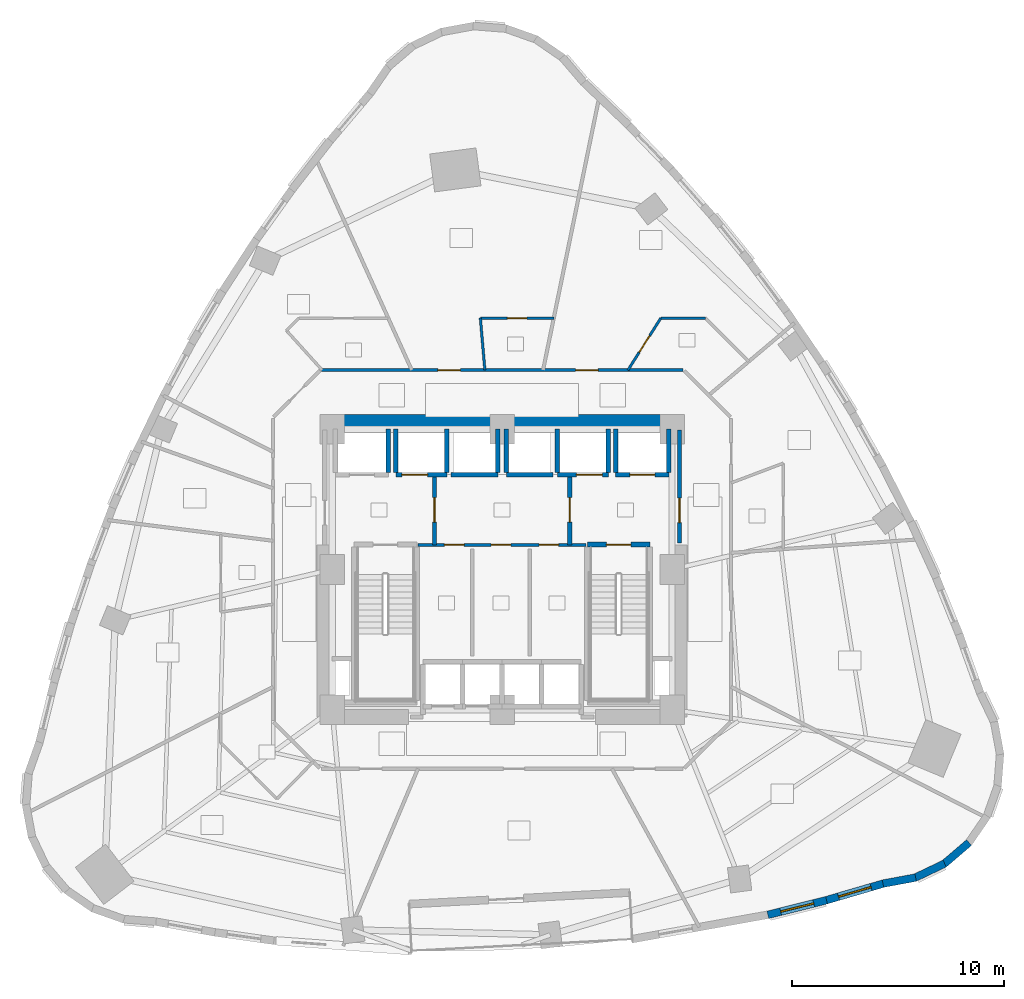
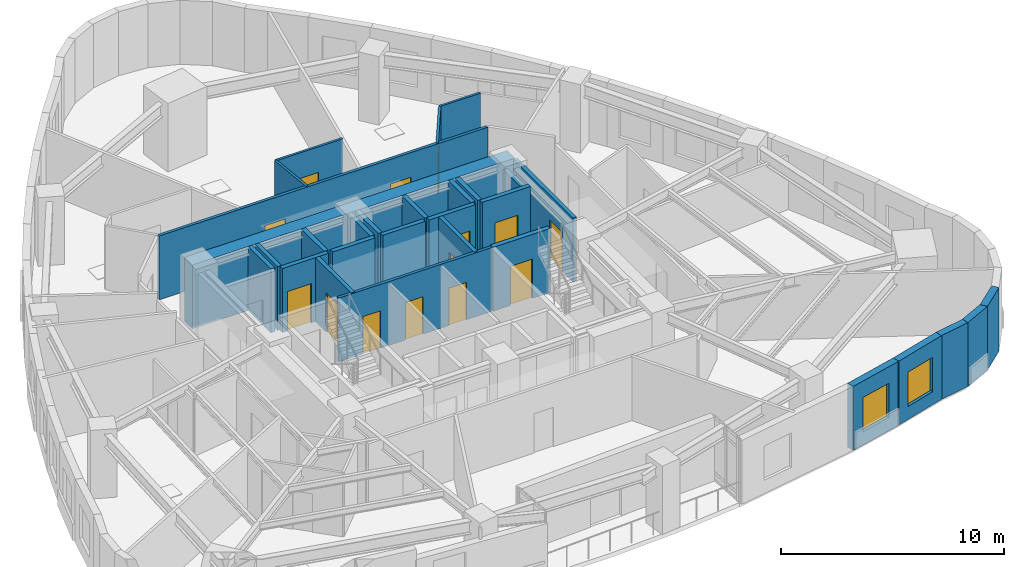
# One storey, part 6 of 11: 30 walls, 14 doors, 2 windows, 16 openings.
"""IFC4 building model written with IfcOpenShell, lengths in metres."""

import ifcopenshell
import ifcopenshell.guid

model = None  # the IFC model being written
_history = None  # IfcOwnerHistory: only IFC2X3 demands one
_inside = {}  # id of a spatial element -> (the spatial element, [elements in it])
_under = {}  # id of a project, library or spatial element -> (it, [spatial elements below it])
_declared = {}  # id of a project -> (the project, [libraries it declares])
_typed = {}  # id of a type object -> (the type object, [elements of that type])
_made_of = {}  # id of a material, layer set ... -> (it, [elements and type objects made of it])


def new_model(schema):
    """Start an empty IFC model of exactly this schema.

    Asked for "IFC4X3", IfcOpenShell would pick the latest addendum, in which some entities
    have other attributes; the version numbers below select the first issue.
    IFC2X3 requires an IfcOwnerHistory on every rooted entity: one is made here for all.
    """
    global model, _history
    if schema == "IFC4X3":
        model = ifcopenshell.file(schema_version=(4, 3, 0, 0))
    else:
        model = ifcopenshell.file(schema=schema)
    _inside.clear()
    _under.clear()
    _declared.clear()
    _typed.clear()
    _made_of.clear()
    _history = None
    if model.schema == "IFC2X3":
        org = make("IfcOrganization", Name="unknown")
        user = make(
            "IfcPersonAndOrganization",
            ThePerson=make("IfcPerson", FamilyName="unknown"),
            TheOrganization=org,
        )
        app = make(
            "IfcApplication",
            ApplicationDeveloper=org,
            Version="unknown",
            ApplicationFullName="unknown",
            ApplicationIdentifier="unknown",
        )
        _history = make(
            "IfcOwnerHistory",
            OwningUser=user,
            OwningApplication=app,
            ChangeAction="ADDED",
            CreationDate=0,
        )
    return model


def make(cls, **values):
    """One entity of the class cls with the attributes given. An attribute that is None is left unset."""
    return model.create_entity(
        cls, **{name: value for name, value in values.items() if value is not None}
    )


def rooted(cls, **values):
    """An entity with a GlobalId (a new one), such as an element, a storey or a relation."""
    return make(cls, GlobalId=ifcopenshell.guid.new(), OwnerHistory=_history, **values)


def si_unit(unit_type, name, prefix=None):
    """IfcSIUnit, for example si_unit("LENGTHUNIT", "METRE", prefix="MILLI")."""
    return make("IfcSIUnit", UnitType=unit_type, Prefix=prefix, Name=name)


def assignment(units):
    """IfcUnitAssignment: the units of a project."""
    return None if units is None else make("IfcUnitAssignment", Units=units)


def point(xyz):
    """IfcCartesianPoint."""
    return None if xyz is None else make("IfcCartesianPoint", Coordinates=xyz)


def direction(xyz):
    """IfcDirection."""
    return None if xyz is None else make("IfcDirection", DirectionRatios=xyz)


def frame(location, z_axis=None, x_axis=None):
    """IfcAxis2Placement3D, a coordinate frame: its origin and axes. An axis left out is left unset."""
    return make(
        "IfcAxis2Placement3D",
        Location=point(location),
        Axis=direction(z_axis),
        RefDirection=direction(x_axis),
    )


def frame_2d(location, x_axis=None):
    """IfcAxis2Placement2D, a coordinate frame in the plane: its origin and x axis."""
    return make(
        "IfcAxis2Placement2D", Location=point(location), RefDirection=direction(x_axis)
    )


def origin():
    """The frame at (0, 0, 0) with its axes left unset."""
    return frame((0.0, 0.0, 0.0))


def place(relative_to, where):
    """IfcLocalPlacement: puts the frame where relative to a parent placement (None: the world)."""
    return make(
        "IfcLocalPlacement", PlacementRelTo=relative_to, RelativePlacement=where
    )


def context(
    kind, dimensions, precision=None, world=None, true_north=None, identifier=None
):
    """IfcGeometricRepresentationContext, for example the 3D "Model" context."""
    return make(
        "IfcGeometricRepresentationContext",
        ContextIdentifier=identifier,
        ContextType=kind,
        CoordinateSpaceDimension=dimensions,
        Precision=precision,
        WorldCoordinateSystem=world,
        TrueNorth=true_north,
    )


def subcontext(parent, identifier, kind, view, scale=None):
    """IfcGeometricRepresentationSubContext, for example "Body" below "Model"."""
    return make(
        "IfcGeometricRepresentationSubContext",
        ContextIdentifier=identifier,
        ContextType=kind,
        ParentContext=parent,
        TargetScale=scale,
        TargetView=view,
    )


def project(units=None, contexts=None):
    """IfcProject with its units and contexts."""
    return rooted(
        "IfcProject",
        Name="project",
        RepresentationContexts=contexts,
        UnitsInContext=assignment(units),
    )


def spatial(cls, under=None, at=None, **own):
    """A site, building, storey or space (cls), placed at a placement, below another one or the project."""
    s = rooted(cls, ObjectPlacement=at, **own)
    if under is not None:
        _under.setdefault(under.id(), (under, []))[1].append(s)
    return s


def profile(cls, at=None, kind="AREA", **sizes):
    """A parametric profile (cls). Its sizes go by their IFC names, for example OverallWidth=200.0."""
    return make(cls, ProfileType=kind, Position=at, **sizes)


def rectangle(**sizes):
    """IfcRectangleProfileDef."""
    return profile("IfcRectangleProfileDef", **sizes)


def extrude(swept, where, along, depth):
    """IfcExtrudedAreaSolid: the profile swept, set in the frame where, extruded along a direction by depth."""
    return make(
        "IfcExtrudedAreaSolid",
        SweptArea=swept,
        Position=where,
        ExtrudedDirection=direction(along),
        Depth=depth,
    )


def shape(context_of_items, identifier, shape_type, items):
    """IfcShapeRepresentation: the items that make up one representation, for example the "Body"."""
    return make(
        "IfcShapeRepresentation",
        ContextOfItems=context_of_items,
        RepresentationIdentifier=identifier,
        RepresentationType=shape_type,
        Items=items,
    )


def material(Name=None, Category=None):
    """IfcMaterial."""
    return make("IfcMaterial", Name=Name, Category=Category)


def layer(
    of_material, thickness, ventilated=None, Name=None, Category=None, Priority=None
):
    """IfcMaterialLayer: one layer of a wall or slab, of a material (None: an air gap)."""
    return make(
        "IfcMaterialLayer",
        Material=of_material,
        LayerThickness=thickness,
        IsVentilated=ventilated,
        Name=Name,
        Category=Category,
        Priority=Priority,
    )


def layer_set(layers, Name=None):
    """IfcMaterialLayerSet."""
    return make("IfcMaterialLayerSet", MaterialLayers=layers, LayerSetName=Name)


def made_of(thing, what):
    """Note that an element or type object is made of a material, layer set ...; save() writes the relation."""
    if what is not None:
        _made_of.setdefault(what.id(), (what, []))[1].append(thing)
    return thing


def type_object(cls, material=None, **own):
    """A type object (cls), such as IfcWallType, which elements share."""
    return made_of(rooted(cls, **own), material)


def element(
    cls,
    number,
    at=None,
    inside=None,
    cuts=None,
    type_object=None,
    material=None,
    context=None,
    identifier="Body",
    shape_type=None,
    held_by="IfcProductDefinitionShape",
    body=None,
    shapes=None,
    **own,
):
    """One element of the class cls, such as IfcWall. Its Tag is "e" and its number.

    at: its placement. inside: the storey or other place that contains it. cuts: it is an
    opening in that element (IfcRelVoidsElement). A single representation is given by context,
    identifier, shape_type and body (its items); several are given by shapes. held_by: the class
    of the entity that holds the representations. save() writes the other relations.
    """
    e = rooted(cls, Tag="e%d" % number, ObjectPlacement=at, **own)
    if body is not None:
        shapes = [shape(context, identifier, shape_type, body)]
    if shapes is not None:
        e.Representation = make(held_by, Representations=shapes)
    if inside is not None:
        _inside.setdefault(inside.id(), (inside, []))[1].append(e)
    if cuts is not None:
        rooted(
            "IfcRelVoidsElement", RelatingBuildingElement=cuts, RelatedOpeningElement=e
        )
    if type_object is not None:
        _typed.setdefault(type_object.id(), (type_object, []))[1].append(e)
    return made_of(e, material)


def fill(opening, filler):
    """IfcRelFillsElement: the door or window that sits in an opening."""
    return rooted(
        "IfcRelFillsElement",
        RelatingOpeningElement=opening,
        RelatedBuildingElement=filler,
    )


def aggregate(whole, parts):
    """IfcRelAggregates: a whole, such as a stair, and the parts it consists of."""
    return rooted("IfcRelAggregates", RelatingObject=whole, RelatedObjects=parts)


def save(model, path):
    """Write the relations noted so far, then the file.

    IfcRelAggregates (storeys below a building ...), IfcRelContainedInSpatialStructure (elements
    in a storey), IfcRelDefinesByType, IfcRelAssociatesMaterial and IfcRelDeclares: one each for
    every whole, place, type object, material and project.
    """
    for whole, parts in _under.values():
        aggregate(whole, parts)
    for where, things in _inside.values():
        rooted(
            "IfcRelContainedInSpatialStructure",
            RelatedElements=things,
            RelatingStructure=where,
        )
    for kind, things in _typed.values():
        rooted("IfcRelDefinesByType", RelatedObjects=things, RelatingType=kind)
    for what, things in _made_of.values():
        rooted("IfcRelAssociatesMaterial", RelatedObjects=things, RelatingMaterial=what)
    for by, libraries in _declared.values():
        rooted("IfcRelDeclares", RelatingContext=by, RelatedDefinitions=libraries)
    model.write(path)


model = new_model("IFC4")

# Units and contexts
model_context = context("Model", 3, precision=1e-05, world=origin(), true_north=direction((0.0, 1.0)))
body_context = subcontext(model_context, "Body", "Model", "MODEL_VIEW")
ifc_project = project(units=[si_unit("LENGTHUNIT", "METRE"), si_unit("AREAUNIT", "SQUARE_METRE"), si_unit("VOLUMEUNIT", "CUBIC_METRE"), si_unit("PLANEANGLEUNIT", "RADIAN"), si_unit("MASSUNIT", "GRAM", prefix="KILO")], contexts=[model_context])

# Site, building, storey
site_placement = place(None, origin())
site = spatial("IfcSite", under=ifc_project, at=site_placement, CompositionType="ELEMENT")
building_placement = place(site_placement, origin())
building = spatial("IfcBuilding", under=site, at=building_placement, Name="Ndelora Gate Hotel", CompositionType="ELEMENT")
storey_placement = place(building_placement, frame((0.0, 0.0, 45.5)))
storey = spatial("IfcBuildingStorey", under=building, at=storey_placement, Name="L10", CompositionType="ELEMENT", Elevation=45.5)

# Wall, opening, window
ifc_material_1 = material(Name="Clay Brick Masonry", Category="masonry")
ifc_layer_1 = layer(ifc_material_1, 0.360107421875)
ifc_layer_set_1 = layer_set([ifc_layer_1], Name="Clay Brick Masonry")
wall_type_1 = type_object("IfcWallType", Name="WL-BRICK-360", PredefinedType="SOLIDWALL", material=ifc_layer_set_1)
wall_1_placement = place(storey_placement, frame((15.269775390625, -15.569091796875, 0.0), z_axis=(0.0, 0.0, 1.0), x_axis=(-0.970177808132, -0.242394349375, 0.0)))
wall_1 = element("IfcWall", 1, at=wall_1_placement, inside=storey, type_object=wall_type_1, Name="L10 Tower Brick Pier-and-Spandrel Wall TWR-37", PredefinedType="SOLIDWALL", context=body_context, shape_type="SweptSolid", body=[
    extrude(rectangle(XDim=2.846435546875, YDim=0.360107421875, at=frame_2d((1.42333984375, 0.0))), origin(), (0.0, 0.0, 1.0), 3.5),
])
opening_1_placement = place(wall_1_placement, frame((0.623291015625, 0.0, 0.719970703125)))
opening_1 = element("IfcOpeningElement", 2, at=opening_1_placement, cuts=wall_1, Name="Opening W03", PredefinedType="OPENING", context=body_context, shape_type="SweptSolid", body=[
    extrude(rectangle(XDim=1.60009765625, YDim=1.8798828125, at=frame_2d((0.800048828125, 0.93994140625))), frame((0.0, 0.18994140625, 0.0), z_axis=(0.0, -1.0, 0.0), x_axis=(1.0, 0.0, 0.0)), (0.0, 0.0, 1.0), 0.380126953125),
])
ifc_material_2 = material(Name="Insulated Low-E Double Glazing in Bronze Aluminium Frame", Category="aluminium")
window_type_1 = type_object("IfcWindowType", Name="WN-CORN-2100", PartitioningType="SINGLE_PANEL", PredefinedType="WINDOW", material=ifc_material_2)
window_1_placement = place(opening_1_placement, origin())
window_1 = element("IfcWindow", 3, at=window_1_placement, inside=storey, type_object=window_type_1, Name="L10 Deep-Set Brick-Pier Window W03", OverallHeight=1.8798828125, OverallWidth=1.60009765625, PartitioningType="SINGLE_PANEL", PredefinedType="WINDOW", context=body_context, shape_type="SweptSolid", body=[
    extrude(rectangle(XDim=1.60009765625, YDim=1.8798828125, at=frame_2d((0.800048828125, 0.93994140625))), frame((0.0, 0.030029296875, 0.0), z_axis=(0.0, -1.0, 0.0), x_axis=(1.0, 0.0, 0.0)), (0.0, 0.0, 1.0), 0.06005859375),
])
fill(opening_1, window_1)

wall_2_placement = place(storey_placement, frame((17.9765625, -14.777587890625, 0.0), z_axis=(0.0, 0.0, 1.0), x_axis=(-0.959918981308, -0.280277629013, 0.0)))
wall_2 = element("IfcWall", 4, at=wall_2_placement, inside=storey, type_object=wall_type_1, Name="L10 Tower Brick Pier-and-Spandrel Wall TWR-38", PredefinedType="SOLIDWALL", context=body_context, shape_type="SweptSolid", body=[
    extrude(rectangle(XDim=2.8701171875, YDim=0.360107421875, at=frame_2d((1.43505859375, 0.0))), origin(), (0.0, 0.0, 1.0), 3.5),
])
opening_2_placement = place(wall_2_placement, frame((0.635009765625, 0.0, 0.719970703125)))
opening_2 = element("IfcOpeningElement", 5, at=opening_2_placement, cuts=wall_2, Name="Opening W01", PredefinedType="OPENING", context=body_context, shape_type="SweptSolid", body=[
    extrude(rectangle(XDim=1.60009765625, YDim=1.8798828125, at=frame_2d((0.800048828125, 0.93994140625))), frame((0.0, 0.18994140625, 0.0), z_axis=(0.0, -1.0, 0.0), x_axis=(1.0, 0.0, 0.0)), (0.0, 0.0, 1.0), 0.380126953125),
])
window_type_2 = type_object("IfcWindowType", Name="WN-DEEP-1600", PartitioningType="SINGLE_PANEL", PredefinedType="WINDOW", material=ifc_material_2)
window_2_placement = place(opening_2_placement, origin())
window_2 = element("IfcWindow", 6, at=window_2_placement, inside=storey, type_object=window_type_2, Name="L10 Deep-Set Brick-Pier Window W01", OverallHeight=1.8798828125, OverallWidth=1.60009765625, PartitioningType="SINGLE_PANEL", PredefinedType="WINDOW", context=body_context, shape_type="SweptSolid", body=[
    extrude(rectangle(XDim=1.60009765625, YDim=1.8798828125, at=frame_2d((0.800048828125, 0.93994140625))), frame((0.0, 0.030029296875, 0.0), z_axis=(0.0, -1.0, 0.0), x_axis=(1.0, 0.0, 0.0)), (0.0, 0.0, 1.0), 0.06005859375),
])
fill(opening_2, window_2)

# Walls
for number, where, z_axis, x_axis, name in (
    (7, (19.4658203125, -14.504150390625, 0.0), (0.0, 0.0, 1.0), (-0.983239538779, -0.182318428527, 0.0), "L10 Tower Brick Pier-and-Spandrel Wall TWR-39"),
    (8, (20.830322265625, -13.84619140625, 0.0), (0.0, 0.0, 1.0), (-0.902577552294, -0.430527307026, 0.0), "L10 Tower Brick Pier-and-Spandrel Wall TWR-40"),
    (9, (21.978271484375, -12.857421875, 0.0), (0.0, 0.0, 1.0), (-0.760489297029, -0.649350467086, 0.0), "L10 Tower Brick Pier-and-Spandrel Wall TWR-41"),
):
    element("IfcWall", number, at=place(storey_placement, frame(where, z_axis=z_axis, x_axis=x_axis)), inside=storey, type_object=wall_type_1, Name=name, PredefinedType="SOLIDWALL", context=body_context, shape_type="SweptSolid", body=[
        extrude(rectangle(XDim=1.56396484375, YDim=0.360107421875, at=frame_2d((0.781982421875, 0.0))), origin(), (0.0, 0.0, 1.0), 3.5),
    ])
ifc_material_3 = material(Name="Concrete C60/75", Category="concrete")
ifc_layer_2 = layer(ifc_material_3, 0.699951171875)
ifc_layer_set_2 = layer_set([ifc_layer_2], Name="Concrete C60/75")
wall_type_2 = type_object("IfcWallType", Name="WL-CORE-700", PredefinedType="SHEAR", material=ifc_layer_set_2)
wall_3_placement = place(storey_placement, frame((-8.35009765625, 6.949951171875, 0.0), z_axis=(0.0, 0.0, 1.0), x_axis=(1.0, 0.0, 0.0)))
element("IfcWall", 10, at=wall_3_placement, inside=storey, type_object=wall_type_2, Name="L10 Core Shear Wall N", PredefinedType="SHEAR", context=body_context, shape_type="SweptSolid", body=[
    extrude(rectangle(XDim=16.7001953125, YDim=0.699951171875, at=frame_2d((8.35009765625, 0.0))), origin(), (0.0, 0.0, 1.0), 3.5),
])

# Wall, opening, door
ifc_material_4 = material(Name="Concrete C40/50", Category="concrete")
ifc_layer_3 = layer(ifc_material_4, 0.199951171875)
ifc_layer_set_3 = layer_set([ifc_layer_3], Name="Concrete C40/50")
wall_type_3 = type_object("IfcWallType", Name="WL-FIRE-200", PredefinedType="PARTITIONING", material=ifc_layer_set_3)
wall_4_placement = place(storey_placement, frame((-3.179931640625, 1.14990234375, 0.0), z_axis=(0.0, 0.0, 1.0), x_axis=(0.0, 1.0, 0.0)))
wall_4 = element("IfcWall", 11, at=wall_4_placement, inside=storey, type_object=wall_type_3, Name="L10 Interior Wall IW-2", PredefinedType="PARTITIONING", context=body_context, shape_type="SweptSolid", body=[
    extrude(rectangle(XDim=3.300048828125, YDim=0.199951171875, at=frame_2d((1.64990234375, 0.0))), origin(), (0.0, 0.0, 1.0), 3.5),
])
opening_3_placement = place(wall_4_placement, frame((1.080078125, 0.0, 0.0)))
opening_3 = element("IfcOpeningElement", 12, at=opening_3_placement, cuts=wall_4, Name="Opening FD1", PredefinedType="OPENING", context=body_context, shape_type="SweptSolid", body=[
    extrude(rectangle(XDim=1.14990234375, YDim=2.14990234375, at=frame_2d((0.574951171875, 1.074951171875))), frame((0.0, 0.10986328125, 0.0), z_axis=(0.0, -1.0, 0.0), x_axis=(1.0, 0.0, 0.0)), (0.0, 0.0, 1.0), 0.219970703125),
])
ifc_material_5 = material(Name="Fire-Rated Timber-Veneer Steel Core", Category="steel")
door_type_1 = type_object("IfcDoorType", Name="DR-FD60", OperationType="SINGLE_SWING_LEFT", PredefinedType="DOOR", material=ifc_material_5)
door_1_placement = place(opening_3_placement, origin())
door_1 = element("IfcDoor", 13, at=door_1_placement, inside=storey, type_object=door_type_1, Name="L10 Firefighting Lobby West Door", OperationType="SINGLE_SWING_RIGHT", OverallHeight=2.14990234375, OverallWidth=1.14990234375, PredefinedType="DOOR", context=body_context, shape_type="SweptSolid", body=[
    extrude(rectangle(XDim=1.14990234375, YDim=2.14990234375, at=frame_2d((0.574951171875, 1.074951171875))), frame((0.0, 0.02490234375, 0.0), z_axis=(0.0, -1.0, 0.0), x_axis=(1.0, 0.0, 0.0)), (0.0, 0.0, 1.0), 0.050048828125),
])
fill(opening_3, door_1)

wall_5_placement = place(storey_placement, frame((3.179931640625, 1.14990234375, 0.0), z_axis=(0.0, 0.0, 1.0), x_axis=(0.0, 1.0, 0.0)))
wall_5 = element("IfcWall", 14, at=wall_5_placement, inside=storey, type_object=wall_type_3, Name="L10 Interior Wall IW-2", PredefinedType="PARTITIONING", context=body_context, shape_type="SweptSolid", body=[
    extrude(rectangle(XDim=3.300048828125, YDim=0.199951171875, at=frame_2d((1.64990234375, 0.0))), origin(), (0.0, 0.0, 1.0), 3.5),
])
opening_4_placement = place(wall_5_placement, frame((1.080078125, 0.0, 0.0)))
opening_4 = element("IfcOpeningElement", 15, at=opening_4_placement, cuts=wall_5, Name="Opening FD1", PredefinedType="OPENING", context=body_context, shape_type="SweptSolid", body=[
    extrude(rectangle(XDim=1.14990234375, YDim=2.14990234375, at=frame_2d((0.574951171875, 1.074951171875))), frame((0.0, 0.10986328125, 0.0), z_axis=(0.0, -1.0, 0.0), x_axis=(1.0, 0.0, 0.0)), (0.0, 0.0, 1.0), 0.219970703125),
])
door_2_placement = place(opening_4_placement, origin())
door_2 = element("IfcDoor", 16, at=door_2_placement, inside=storey, type_object=door_type_1, Name="L10 Firefighting Lobby East Door", OperationType="SINGLE_SWING_LEFT", OverallHeight=2.14990234375, OverallWidth=1.14990234375, PredefinedType="DOOR", context=body_context, shape_type="SweptSolid", body=[
    extrude(rectangle(XDim=1.14990234375, YDim=2.14990234375, at=frame_2d((0.574951171875, 1.074951171875))), frame((0.0, 0.02490234375, 0.0), z_axis=(0.0, -1.0, 0.0), x_axis=(1.0, 0.0, 0.0)), (0.0, 0.0, 1.0), 0.050048828125),
])
fill(opening_4, door_2)

wall_6_placement = place(storey_placement, frame((8.35009765625, 1.25, 0.0), z_axis=(0.0, 0.0, 1.0), x_axis=(0.0, 1.0, 0.0)))
wall_6 = element("IfcWall", 17, at=wall_6_placement, inside=storey, type_object=wall_type_3, Name="L10 Interior Wall IW-2", PredefinedType="PARTITIONING", context=body_context, shape_type="SweptSolid", body=[
    extrude(rectangle(XDim=5.300048828125, YDim=0.199951171875, at=frame_2d((2.64990234375, 0.0))), origin(), (0.0, 0.0, 1.0), 3.5),
])
opening_5_placement = place(wall_6_placement, frame((0.949951171875, 0.0, 0.0)))
opening_5 = element("IfcOpeningElement", 18, at=opening_5_placement, cuts=wall_6, Name="Opening FD1", PredefinedType="OPENING", context=body_context, shape_type="SweptSolid", body=[
    extrude(rectangle(XDim=1.14990234375, YDim=2.14990234375, at=frame_2d((0.574951171875, 1.074951171875))), frame((0.0, 0.10986328125, 0.0), z_axis=(0.0, -1.0, 0.0), x_axis=(1.0, 0.0, 0.0)), (0.0, 0.0, 1.0), 0.219970703125),
])
door_3_placement = place(opening_5_placement, origin())
door_3 = element("IfcDoor", 19, at=door_3_placement, inside=storey, type_object=door_type_1, Name="L10 Firefighting Lobby East Corridor Door", OperationType="SINGLE_SWING_RIGHT", OverallHeight=2.14990234375, OverallWidth=1.14990234375, PredefinedType="DOOR", context=body_context, shape_type="SweptSolid", body=[
    extrude(rectangle(XDim=1.14990234375, YDim=2.14990234375, at=frame_2d((0.574951171875, 1.074951171875))), frame((0.0, 0.02490234375, 0.0), z_axis=(0.0, -1.0, 0.0), x_axis=(1.0, 0.0, 0.0)), (0.0, 0.0, 1.0), 0.050048828125),
])
fill(opening_5, door_3)

# Wall, openings, doors
ifc_material_6 = material(Name="Fire-Rated Gypsum Stud Partition", Category="gypsum")
ifc_layer_4 = layer(ifc_material_6, 0.14990234375)
ifc_layer_set_4 = layer_set([ifc_layer_4], Name="Fire-Rated Gypsum Stud Partition")
wall_type_4 = type_object("IfcWallType", Name="WL-PART-150", PredefinedType="PARTITIONING", material=ifc_layer_set_4)
wall_7_placement = place(storey_placement, frame((3.949951171875, 1.14990234375, 0.0), z_axis=(0.0, 0.0, 1.0), x_axis=(-1.0, 0.0, 0.0)))
wall_7 = element("IfcWall", 20, at=wall_7_placement, inside=storey, type_object=wall_type_4, Name="L10 Interior Wall IW-5", PredefinedType="PARTITIONING", context=body_context, shape_type="SweptSolid", body=[
    extrude(rectangle(XDim=7.89990234375, YDim=0.14990234375, at=frame_2d((3.949951171875, 0.0))), origin(), (0.0, 0.0, 1.0), 3.5),
])
opening_6_placement = place(wall_7_placement, frame((5.739990234375, 0.0, 0.0)))
opening_6 = element("IfcOpeningElement", 21, at=opening_6_placement, cuts=wall_7, Name="Opening D04", PredefinedType="OPENING", context=body_context, shape_type="SweptSolid", body=[
    extrude(rectangle(XDim=0.919921875, YDim=2.050048828125, at=frame_2d((0.4599609375, 1.02490234375))), frame((0.0, 0.0849609375, 0.0), z_axis=(0.0, -1.0, 0.0), x_axis=(1.0, 0.0, 0.0)), (0.0, 0.0, 1.0), 0.169921875),
])
opening_7_placement = place(wall_7_placement, frame((3.5400390625, 0.0, 0.0)))
opening_7 = element("IfcOpeningElement", 22, at=opening_7_placement, cuts=wall_7, Name="Opening D04", PredefinedType="OPENING", context=body_context, shape_type="SweptSolid", body=[
    extrude(rectangle(XDim=0.919921875, YDim=2.050048828125, at=frame_2d((0.4599609375, 1.02490234375))), frame((0.0, 0.0849609375, 0.0), z_axis=(0.0, -1.0, 0.0), x_axis=(1.0, 0.0, 0.0)), (0.0, 0.0, 1.0), 0.169921875),
])
opening_8_placement = place(wall_7_placement, frame((1.2900390625, 0.0, 0.0)))
opening_8 = element("IfcOpeningElement", 23, at=opening_8_placement, cuts=wall_7, Name="Opening D04", PredefinedType="OPENING", context=body_context, shape_type="SweptSolid", body=[
    extrude(rectangle(XDim=0.919921875, YDim=2.050048828125, at=frame_2d((0.4599609375, 1.02490234375))), frame((0.0, 0.0849609375, 0.0), z_axis=(0.0, -1.0, 0.0), x_axis=(1.0, 0.0, 0.0)), (0.0, 0.0, 1.0), 0.169921875),
])
ifc_material_7 = material(Name="Painted Steel Core Service Door", Category="steel")
door_type_2 = type_object("IfcDoorType", Name="DR-SER-920", OperationType="SINGLE_SWING_LEFT", PredefinedType="DOOR", material=ifc_material_7)
door_4_placement = place(opening_6_placement, origin())
door_4 = element("IfcDoor", 24, at=door_4_placement, inside=storey, type_object=door_type_2, Name="L10 Core Cleaners Store Door", OperationType="SINGLE_SWING_LEFT", OverallHeight=2.050048828125, OverallWidth=0.919921875, PredefinedType="DOOR", context=body_context, shape_type="SweptSolid", body=[
    extrude(rectangle(XDim=0.919921875, YDim=2.050048828125, at=frame_2d((0.4599609375, 1.02490234375))), frame((0.0, 0.02490234375, 0.0), z_axis=(0.0, -1.0, 0.0), x_axis=(1.0, 0.0, 0.0)), (0.0, 0.0, 1.0), 0.050048828125),
])
fill(opening_6, door_4)
door_5_placement = place(opening_7_placement, origin())
door_5 = element("IfcDoor", 25, at=door_5_placement, inside=storey, type_object=door_type_2, Name="L10 Core Telecoms Equipment Room Door", OperationType="SINGLE_SWING_RIGHT", OverallHeight=2.050048828125, OverallWidth=0.919921875, PredefinedType="DOOR", context=body_context, shape_type="SweptSolid", body=[
    extrude(rectangle(XDim=0.919921875, YDim=2.050048828125, at=frame_2d((0.4599609375, 1.02490234375))), frame((0.0, 0.02490234375, 0.0), z_axis=(0.0, -1.0, 0.0), x_axis=(1.0, 0.0, 0.0)), (0.0, 0.0, 1.0), 0.050048828125),
])
fill(opening_7, door_5)
door_6_placement = place(opening_8_placement, origin())
door_6 = element("IfcDoor", 26, at=door_6_placement, inside=storey, type_object=door_type_2, Name="L10 Core Electrical Metering Room Door", OperationType="SINGLE_SWING_LEFT", OverallHeight=2.050048828125, OverallWidth=0.919921875, PredefinedType="DOOR", context=body_context, shape_type="SweptSolid", body=[
    extrude(rectangle(XDim=0.919921875, YDim=2.050048828125, at=frame_2d((0.4599609375, 1.02490234375))), frame((0.0, 0.02490234375, 0.0), z_axis=(0.0, -1.0, 0.0), x_axis=(1.0, 0.0, 0.0)), (0.0, 0.0, 1.0), 0.050048828125),
])
fill(opening_8, door_6)

wall_8_placement = place(storey_placement, frame((-8.510009765625, 9.3798828125, 0.0), z_axis=(0.0, 0.0, 1.0), x_axis=(1.0, 0.0, 0.0)))
wall_8 = element("IfcWall", 27, at=wall_8_placement, inside=storey, type_object=wall_type_4, Name="L10 Interior Wall IW-5", PredefinedType="PARTITIONING", context=body_context, shape_type="SweptSolid", body=[
    extrude(rectangle(XDim=17.02001953125, YDim=0.14990234375, at=frame_2d((8.510009765625, 0.0))), origin(), (0.0, 0.0, 1.0), 3.5),
])
opening_9_placement = place(wall_8_placement, frame((11.971435546875, 0.0, 0.0)))
opening_9 = element("IfcOpeningElement", 28, at=opening_9_placement, cuts=wall_8, Name="Opening D07", PredefinedType="OPENING", context=body_context, shape_type="SweptSolid", body=[
    extrude(rectangle(XDim=1.06005859375, YDim=2.14990234375, at=frame_2d((0.530029296875, 1.074951171875))), frame((0.0, 0.0849609375, 0.0), z_axis=(0.0, -1.0, 0.0), x_axis=(1.0, 0.0, 0.0)), (0.0, 0.0, 1.0), 0.169921875),
])
opening_10_placement = place(wall_8_placement, frame((5.49169921875, 0.0, 0.0)))
opening_10 = element("IfcOpeningElement", 29, at=opening_10_placement, cuts=wall_8, Name="Opening D07", PredefinedType="OPENING", context=body_context, shape_type="SweptSolid", body=[
    extrude(rectangle(XDim=1.06005859375, YDim=2.14990234375, at=frame_2d((0.530029296875, 1.074951171875))), frame((0.0, 0.0849609375, 0.0), z_axis=(0.0, -1.0, 0.0), x_axis=(1.0, 0.0, 0.0)), (0.0, 0.0, 1.0), 0.169921875),
])
ifc_material_8 = material(Name="Diplomatic Suite Acoustic Entrance Door", Category="wood")
door_type_3 = type_object("IfcDoorType", Name="DR-SUITE-1060", OperationType="SINGLE_SWING_LEFT", PredefinedType="DOOR", material=ifc_material_8)
door_7_placement = place(opening_9_placement, origin())
door_7 = element("IfcDoor", 30, at=door_7_placement, inside=storey, type_object=door_type_3, Name="L10 Corner Junior Suite 1304 Entrance Door", OperationType="SINGLE_SWING_RIGHT", OverallHeight=2.14990234375, OverallWidth=1.06005859375, PredefinedType="DOOR", context=body_context, shape_type="SweptSolid", body=[
    extrude(rectangle(XDim=1.06005859375, YDim=2.14990234375, at=frame_2d((0.530029296875, 1.074951171875))), frame((0.0, 0.02490234375, 0.0), z_axis=(0.0, -1.0, 0.0), x_axis=(1.0, 0.0, 0.0)), (0.0, 0.0, 1.0), 0.050048828125),
])
fill(opening_9, door_7)
door_8_placement = place(opening_10_placement, origin())
door_8 = element("IfcDoor", 31, at=door_8_placement, inside=storey, type_object=door_type_3, Name="L10 Deluxe King Junior Suite 1305 Entrance Door", OperationType="SINGLE_SWING_RIGHT", OverallHeight=2.14990234375, OverallWidth=1.06005859375, PredefinedType="DOOR", context=body_context, shape_type="SweptSolid", body=[
    extrude(rectangle(XDim=1.06005859375, YDim=2.14990234375, at=frame_2d((0.530029296875, 1.074951171875))), frame((0.0, 0.02490234375, 0.0), z_axis=(0.0, -1.0, 0.0), x_axis=(1.0, 0.0, 0.0)), (0.0, 0.0, 1.0), 0.050048828125),
])
fill(opening_10, door_8)

# Wall
ifc_layer_5 = layer(ifc_material_4, 0.219970703125)
ifc_layer_set_5 = layer_set([ifc_layer_5], Name="Concrete C40/50")
wall_type_5 = type_object("IfcWallType", Name="WL-SHAFT-220", PredefinedType="PARTITIONING", material=ifc_layer_set_5)
wall_9_placement = place(storey_placement, frame((-5.35009765625, 4.570068359375, 0.0), z_axis=(0.0, 0.0, 1.0), x_axis=(0.0, 1.0, 0.0)))
element("IfcWall", 32, at=wall_9_placement, inside=storey, type_object=wall_type_5, Name="L10 Interior Wall IW-1", PredefinedType="PARTITIONING", context=body_context, shape_type="SweptSolid", body=[
    extrude(rectangle(XDim=2.030029296875, YDim=0.219970703125, at=frame_2d((1.01513671875, 0.0))), origin(), (0.0, 0.0, 1.0), 3.5),
])

# Wall, opening, door
wall_10_placement = place(storey_placement, frame((5.35009765625, 4.449951171875, 0.0), z_axis=(0.0, 0.0, 1.0), x_axis=(1.0, 0.0, 0.0)))
wall_10 = element("IfcWall", 33, at=wall_10_placement, inside=storey, type_object=wall_type_5, Name="L10 Interior Wall IW-1", PredefinedType="PARTITIONING", context=body_context, shape_type="SweptSolid", body=[
    extrude(rectangle(XDim=2.5, YDim=0.219970703125, at=frame_2d((1.25, 0.0))), origin(), (0.0, 0.0, 1.0), 3.5),
])
opening_11_placement = place(wall_10_placement, frame((0.659912109375, 0.0, 0.0)))
opening_11 = element("IfcOpeningElement", 34, at=opening_11_placement, cuts=wall_10, Name="Opening LD5", PredefinedType="OPENING", context=body_context, shape_type="SweptSolid", body=[
    extrude(rectangle(XDim=1.179931640625, YDim=2.14990234375, at=frame_2d((0.58984375, 1.074951171875))), frame((0.0, 0.1201171875, 0.0), z_axis=(0.0, -1.0, 0.0), x_axis=(1.0, 0.0, 0.0)), (0.0, 0.0, 1.0), 0.239990234375),
])
ifc_material_9 = material(Name="Firefighting Lift Stainless Sliding Landing Door", Category="metal")
door_type_4 = type_object("IfcDoorType", Name="DR-LD5", OperationType="DOUBLE_DOOR_SLIDING", PredefinedType="DOOR", material=ifc_material_9)
door_9_placement = place(opening_11_placement, origin())
door_9 = element("IfcDoor", 35, at=door_9_placement, inside=storey, type_object=door_type_4, Name="L10 Lift Landing Sliding Door FFL2", OperationType="DOUBLE_DOOR_SLIDING", OverallHeight=2.14990234375, OverallWidth=1.179931640625, PredefinedType="DOOR", context=body_context, shape_type="SweptSolid", body=[
    extrude(rectangle(XDim=1.179931640625, YDim=2.14990234375, at=frame_2d((0.58984375, 1.074951171875))), frame((0.0, 0.02490234375, 0.0), z_axis=(0.0, -1.0, 0.0), x_axis=(1.0, 0.0, 0.0)), (0.0, 0.0, 1.0), 0.050048828125),
])
fill(opening_11, door_9)

# Walls
wall_11_placement = place(storey_placement, frame((5.35009765625, 4.570068359375, 0.0), z_axis=(0.0, 0.0, 1.0), x_axis=(0.0, 1.0, 0.0)))
element("IfcWall", 36, at=wall_11_placement, inside=storey, type_object=wall_type_5, Name="L10 Interior Wall IW-1", PredefinedType="PARTITIONING", context=body_context, shape_type="SweptSolid", body=[
    extrude(rectangle(XDim=2.030029296875, YDim=0.219970703125, at=frame_2d((1.01513671875, 0.0))), origin(), (0.0, 0.0, 1.0), 3.5),
])
wall_12_placement = place(storey_placement, frame((7.85009765625, 4.570068359375, 0.0), z_axis=(0.0, 0.0, 1.0), x_axis=(0.0, 1.0, 0.0)))
element("IfcWall", 37, at=wall_12_placement, inside=storey, type_object=wall_type_5, Name="L10 Interior Wall IW-1", PredefinedType="PARTITIONING", context=body_context, shape_type="SweptSolid", body=[
    extrude(rectangle(XDim=2.030029296875, YDim=0.219970703125, at=frame_2d((1.01513671875, 0.0))), origin(), (0.0, 0.0, 1.0), 3.080078125),
])

# Wall, opening, door
wall_13_placement = place(storey_placement, frame((-5.0, 4.449951171875, 0.0), z_axis=(0.0, 0.0, 1.0), x_axis=(1.0, 0.0, 0.0)))
wall_13 = element("IfcWall", 38, at=wall_13_placement, inside=storey, type_object=wall_type_5, Name="L10 Interior Wall IW-1", PredefinedType="PARTITIONING", context=body_context, shape_type="SweptSolid", body=[
    extrude(rectangle(XDim=2.39990234375, YDim=0.219970703125, at=frame_2d((1.199951171875, 0.0))), origin(), (0.0, 0.0, 1.0), 3.5),
])
opening_12_placement = place(wall_13_placement, frame((0.280029296875, 0.0, 0.0)))
opening_12 = element("IfcOpeningElement", 39, at=opening_12_placement, cuts=wall_13, Name="Opening LD6", PredefinedType="OPENING", context=body_context, shape_type="SweptSolid", body=[
    extrude(rectangle(XDim=1.219970703125, YDim=2.14990234375, at=frame_2d((0.60986328125, 1.074951171875))), frame((0.0, 0.1201171875, 0.0), z_axis=(0.0, -1.0, 0.0), x_axis=(1.0, 0.0, 0.0)), (0.0, 0.0, 1.0), 0.239990234375),
])
ifc_material_10 = material(Name="Heavy-Duty Service Lift Sliding Landing Door", Category="wood")
door_type_5 = type_object("IfcDoorType", Name="DR-LD6", OperationType="DOUBLE_DOOR_SLIDING", PredefinedType="DOOR", material=ifc_material_10)
door_10_placement = place(opening_12_placement, origin())
door_10 = element("IfcDoor", 40, at=door_10_placement, inside=storey, type_object=door_type_5, Name="L10 Lift Landing Sliding Door SVL1", OperationType="DOUBLE_DOOR_SLIDING", OverallHeight=2.14990234375, OverallWidth=1.219970703125, PredefinedType="DOOR", context=body_context, shape_type="SweptSolid", body=[
    extrude(rectangle(XDim=1.219970703125, YDim=2.14990234375, at=frame_2d((0.60986328125, 1.074951171875))), frame((0.0, 0.02490234375, 0.0), z_axis=(0.0, -1.0, 0.0), x_axis=(1.0, 0.0, 0.0)), (0.0, 0.0, 1.0), 0.050048828125),
])
fill(opening_12, door_10)

# Walls
for number, where, z_axis, x_axis, name in (
    (41, (-5.0, 4.570068359375, 0.0), (0.0, 0.0, 1.0), (0.0, 1.0, 0.0), "L10 Interior Wall IW-1"),
    (42, (-2.60009765625, 4.570068359375, 0.0), (0.0, 0.0, 1.0), (0.0, 1.0, 0.0), "L10 Interior Wall IW-1"),
):
    element("IfcWall", number, at=place(storey_placement, frame(where, z_axis=z_axis, x_axis=x_axis)), inside=storey, type_object=wall_type_5, Name=name, PredefinedType="PARTITIONING", context=body_context, shape_type="SweptSolid", body=[
        extrude(rectangle(XDim=2.030029296875, YDim=0.219970703125, at=frame_2d((1.01513671875, 0.0))), origin(), (0.0, 0.0, 1.0), 3.5),
    ])

# Wall, opening, door
wall_14_placement = place(storey_placement, frame((2.60009765625, 4.449951171875, 0.0), z_axis=(0.0, 0.0, 1.0), x_axis=(1.0, 0.0, 0.0)))
wall_14 = element("IfcWall", 43, at=wall_14_placement, inside=storey, type_object=wall_type_5, Name="L10 Interior Wall IW-1", PredefinedType="PARTITIONING", context=body_context, shape_type="SweptSolid", body=[
    extrude(rectangle(XDim=2.39990234375, YDim=0.219970703125, at=frame_2d((1.199951171875, 0.0))), origin(), (0.0, 0.0, 1.0), 3.5),
])
opening_13_placement = place(wall_14_placement, frame((0.89990234375, 0.0, 0.0)))
opening_13 = element("IfcOpeningElement", 44, at=opening_13_placement, cuts=wall_14, Name="Opening LD6", PredefinedType="OPENING", context=body_context, shape_type="SweptSolid", body=[
    extrude(rectangle(XDim=1.219970703125, YDim=2.14990234375, at=frame_2d((0.60986328125, 1.074951171875))), frame((0.0, 0.1201171875, 0.0), z_axis=(0.0, -1.0, 0.0), x_axis=(1.0, 0.0, 0.0)), (0.0, 0.0, 1.0), 0.239990234375),
])
door_11_placement = place(opening_13_placement, origin())
door_11 = element("IfcDoor", 45, at=door_11_placement, inside=storey, type_object=door_type_5, Name="L10 Lift Landing Sliding Door SVL2", OperationType="DOUBLE_DOOR_SLIDING", OverallHeight=2.14990234375, OverallWidth=1.219970703125, PredefinedType="DOOR", context=body_context, shape_type="SweptSolid", body=[
    extrude(rectangle(XDim=1.219970703125, YDim=2.14990234375, at=frame_2d((0.60986328125, 1.074951171875))), frame((0.0, 0.02490234375, 0.0), z_axis=(0.0, -1.0, 0.0), x_axis=(1.0, 0.0, 0.0)), (0.0, 0.0, 1.0), 0.050048828125),
])
fill(opening_13, door_11)

# Walls
for number, where, z_axis, x_axis, name in (
    (46, (2.60009765625, 4.570068359375, 0.0), (0.0, 0.0, 1.0), (0.0, 1.0, 0.0), "L10 Interior Wall IW-1"),
    (47, (5.0, 4.570068359375, 0.0), (0.0, 0.0, 1.0), (0.0, 1.0, 0.0), "L10 Interior Wall IW-1"),
):
    element("IfcWall", number, at=place(storey_placement, frame(where, z_axis=z_axis, x_axis=x_axis)), inside=storey, type_object=wall_type_5, Name=name, PredefinedType="PARTITIONING", context=body_context, shape_type="SweptSolid", body=[
        extrude(rectangle(XDim=2.030029296875, YDim=0.219970703125, at=frame_2d((1.01513671875, 0.0))), origin(), (0.0, 0.0, 1.0), 3.5),
    ])
wall_15_placement = place(storey_placement, frame((-2.39990234375, 4.449951171875, 0.0), z_axis=(0.0, 0.0, 1.0), x_axis=(1.0, 0.0, 0.0)))
element("IfcWall", 48, at=wall_15_placement, inside=storey, type_object=wall_type_5, Name="L10 Interior Wall IW-1", PredefinedType="PARTITIONING", context=body_context, shape_type="SweptSolid", body=[
    extrude(rectangle(XDim=2.199951171875, YDim=0.219970703125, at=frame_2d((1.10009765625, 0.0))), origin(), (0.0, 0.0, 1.0), 3.5),
])
wall_16_placement = place(storey_placement, frame((-0.199951171875, 4.570068359375, 0.0), z_axis=(0.0, 0.0, 1.0), x_axis=(0.0, 1.0, 0.0)))
element("IfcWall", 49, at=wall_16_placement, inside=storey, type_object=wall_type_5, Name="L10 Interior Wall IW-1", PredefinedType="PARTITIONING", context=body_context, shape_type="SweptSolid", body=[
    extrude(rectangle(XDim=2.030029296875, YDim=0.219970703125, at=frame_2d((1.01513671875, 0.0))), origin(), (0.0, 0.0, 1.0), 3.5),
])
wall_17_placement = place(storey_placement, frame((0.199951171875, 4.449951171875, 0.0), z_axis=(0.0, 0.0, 1.0), x_axis=(1.0, 0.0, 0.0)))
element("IfcWall", 50, at=wall_17_placement, inside=storey, type_object=wall_type_5, Name="L10 Interior Wall IW-1", PredefinedType="PARTITIONING", context=body_context, shape_type="SweptSolid", body=[
    extrude(rectangle(XDim=2.199951171875, YDim=0.219970703125, at=frame_2d((1.10009765625, 0.0))), origin(), (0.0, 0.0, 1.0), 3.5),
])
wall_18_placement = place(storey_placement, frame((0.199951171875, 4.570068359375, 0.0), z_axis=(0.0, 0.0, 1.0), x_axis=(0.0, 1.0, 0.0)))
element("IfcWall", 51, at=wall_18_placement, inside=storey, type_object=wall_type_5, Name="L10 Interior Wall IW-1", PredefinedType="PARTITIONING", context=body_context, shape_type="SweptSolid", body=[
    extrude(rectangle(XDim=2.030029296875, YDim=0.219970703125, at=frame_2d((1.01513671875, 0.0))), origin(), (0.0, 0.0, 1.0), 3.5),
])

# Wall, opening, door
ifc_material_11 = material(Name="Concrete C50/60", Category="concrete")
ifc_layer_6 = layer(ifc_material_11, 0.239990234375)
ifc_layer_set_6 = layer_set([ifc_layer_6], Name="Concrete C50/60")
wall_type_6 = type_object("IfcWallType", Name="WL-STAIR-240", PredefinedType="SHEAR", material=ifc_layer_set_6)
wall_19_placement = place(storey_placement, frame((4.010009765625, 1.169921875, 0.0), z_axis=(0.0, 0.0, 1.0), x_axis=(1.0, 0.0, 0.0)))
wall_19 = element("IfcWall", 52, at=wall_19_placement, inside=storey, type_object=wall_type_6, Name="L10 Stair Core Shear Wall SW-ST", PredefinedType="SHEAR", context=body_context, shape_type="SweptSolid", body=[
    extrude(rectangle(XDim=2.9599609375, YDim=0.239990234375, at=frame_2d((1.47998046875, 0.0))), origin(), (0.0, 0.0, 1.0), 3.5),
])
opening_14_placement = place(wall_19_placement, frame((0.89990234375, 0.0, 0.0)))
opening_14 = element("IfcOpeningElement", 53, at=opening_14_placement, cuts=wall_19, Name="Opening FD1", PredefinedType="OPENING", context=body_context, shape_type="SweptSolid", body=[
    extrude(rectangle(XDim=1.14990234375, YDim=2.14990234375, at=frame_2d((0.574951171875, 1.074951171875))), frame((0.0, 0.1298828125, 0.0), z_axis=(0.0, -1.0, 0.0), x_axis=(1.0, 0.0, 0.0)), (0.0, 0.0, 1.0), 0.260009765625),
])
door_12_placement = place(opening_14_placement, origin())
door_12 = element("IfcDoor", 54, at=door_12_placement, inside=storey, type_object=door_type_1, Name="L10 Exit Stair ST5 Door", OperationType="SINGLE_SWING_RIGHT", OverallHeight=2.14990234375, OverallWidth=1.14990234375, PredefinedType="DOOR", context=body_context, shape_type="SweptSolid", body=[
    extrude(rectangle(XDim=1.14990234375, YDim=2.14990234375, at=frame_2d((0.574951171875, 1.074951171875))), frame((0.0, 0.02490234375, 0.0), z_axis=(0.0, -1.0, 0.0), x_axis=(1.0, 0.0, 0.0)), (0.0, 0.0, 1.0), 0.050048828125),
])
fill(opening_14, door_12)

ifc_material_12 = material(Name="Moisture-Resistant Bathroom Tile Partition", Category="gypsum")
ifc_layer_7 = layer(ifc_material_12, 0.1201171875)
ifc_layer_set_7 = layer_set([ifc_layer_7], Name="Moisture-Resistant Bathroom Tile Partition")
wall_type_7 = type_object("IfcWallType", Name="WL-WET-120", PredefinedType="PARTITIONING", material=ifc_layer_set_7)
wall_20_placement = place(storey_placement, frame((5.92529296875, 9.3798828125, 0.0), z_axis=(0.0, 0.0, 1.0), x_axis=(0.534021517206, 0.845470886052, 0.0)))
wall_20 = element("IfcWall", 55, at=wall_20_placement, inside=storey, type_object=wall_type_7, Name="L10 Interior Wall IW-7", PredefinedType="PARTITIONING", context=body_context, shape_type="SweptSolid", body=[
    extrude(rectangle(XDim=2.89794921875, YDim=0.1201171875, at=frame_2d((1.448974609375, 0.0))), origin(), (0.0, 0.0, 1.0), 3.5),
])
opening_15_placement = place(wall_20_placement, frame((0.989013671875, 0.0, 0.0)))
opening_15 = element("IfcOpeningElement", 56, at=opening_15_placement, cuts=wall_20, Name="Opening D03", PredefinedType="OPENING", context=body_context, shape_type="SweptSolid", body=[
    extrude(rectangle(XDim=0.919921875, YDim=2.10009765625, at=frame_2d((0.4599609375, 1.050048828125))), frame((0.0, 0.070068359375, 0.0), z_axis=(0.0, -1.0, 0.0), x_axis=(1.0, 0.0, 0.0)), (0.0, 0.0, 1.0), 0.14013671875),
])
ifc_material_13 = material(Name="Moisture-Resistant Hardwood En-Suite Door", Category="wood")
door_type_6 = type_object("IfcDoorType", Name="DR-BATH-920", OperationType="SINGLE_SWING_LEFT", PredefinedType="DOOR", material=ifc_material_13)
door_13_placement = place(opening_15_placement, origin())
door_13 = element("IfcDoor", 57, at=door_13_placement, inside=storey, type_object=door_type_6, Name="L10 En-suite Bathroom 1304 Door", OperationType="SINGLE_SWING_LEFT", OverallHeight=2.10009765625, OverallWidth=0.919921875, PredefinedType="DOOR", context=body_context, shape_type="SweptSolid", body=[
    extrude(rectangle(XDim=0.919921875, YDim=2.10009765625, at=frame_2d((0.4599609375, 1.050048828125))), frame((0.0, 0.02490234375, 0.0), z_axis=(0.0, -1.0, 0.0), x_axis=(1.0, 0.0, 0.0)), (0.0, 0.0, 1.0), 0.050048828125),
])
fill(opening_15, door_13)

# Walls
wall_21_placement = place(storey_placement, frame((7.472900390625, 11.830078125, 0.0), z_axis=(0.0, 0.0, 1.0), x_axis=(1.0, 0.0, 0.0)))
element("IfcWall", 58, at=wall_21_placement, inside=storey, type_object=wall_type_7, Name="L10 Interior Wall IW-7", PredefinedType="PARTITIONING", context=body_context, shape_type="SweptSolid", body=[
    extrude(rectangle(XDim=2.091796875, YDim=0.1201171875, at=frame_2d((1.0458984375, 0.0))), origin(), (0.0, 0.0, 1.0), 3.5),
])
wall_22_placement = place(storey_placement, frame((-0.809814453125, 9.3798828125, 0.0), z_axis=(0.0, 0.0, 1.0), x_axis=(-0.086068429702, 0.996289227789, 0.0)))
element("IfcWall", 59, at=wall_22_placement, inside=storey, type_object=wall_type_7, Name="L10 Interior Wall IW-7", PredefinedType="PARTITIONING", context=body_context, shape_type="SweptSolid", body=[
    extrude(rectangle(XDim=2.459228515625, YDim=0.1201171875, at=frame_2d((1.2294921875, 0.0))), origin(), (0.0, 0.0, 1.0), 3.5),
])

# Wall, opening, door
wall_23_placement = place(storey_placement, frame((-1.021484375, 11.830078125, 0.0), z_axis=(0.0, 0.0, 1.0), x_axis=(1.0, 0.0, 0.0)))
wall_23 = element("IfcWall", 60, at=wall_23_placement, inside=storey, type_object=wall_type_7, Name="L10 Interior Wall IW-7", PredefinedType="PARTITIONING", context=body_context, shape_type="SweptSolid", body=[
    extrude(rectangle(XDim=3.455078125, YDim=0.1201171875, at=frame_2d((1.7275390625, 0.0))), origin(), (0.0, 0.0, 1.0), 3.5),
])
opening_16_placement = place(wall_23_placement, frame((1.267578125, 0.0, 0.0)))
opening_16 = element("IfcOpeningElement", 61, at=opening_16_placement, cuts=wall_23, Name="Opening D03", PredefinedType="OPENING", context=body_context, shape_type="SweptSolid", body=[
    extrude(rectangle(XDim=0.919921875, YDim=2.10009765625, at=frame_2d((0.4599609375, 1.050048828125))), frame((0.0, 0.070068359375, 0.0), z_axis=(0.0, -1.0, 0.0), x_axis=(1.0, 0.0, 0.0)), (0.0, 0.0, 1.0), 0.14013671875),
])
door_14_placement = place(opening_16_placement, origin())
door_14 = element("IfcDoor", 62, at=door_14_placement, inside=storey, type_object=door_type_6, Name="L10 En-suite Bathroom 1305 Door", OperationType="SINGLE_SWING_RIGHT", OverallHeight=2.10009765625, OverallWidth=0.919921875, PredefinedType="DOOR", context=body_context, shape_type="SweptSolid", body=[
    extrude(rectangle(XDim=0.919921875, YDim=2.10009765625, at=frame_2d((0.4599609375, 1.050048828125))), frame((0.0, 0.02490234375, 0.0), z_axis=(0.0, -1.0, 0.0), x_axis=(1.0, 0.0, 0.0)), (0.0, 0.0, 1.0), 0.050048828125),
])
fill(opening_16, door_14)

save(model, "model.ifc")
